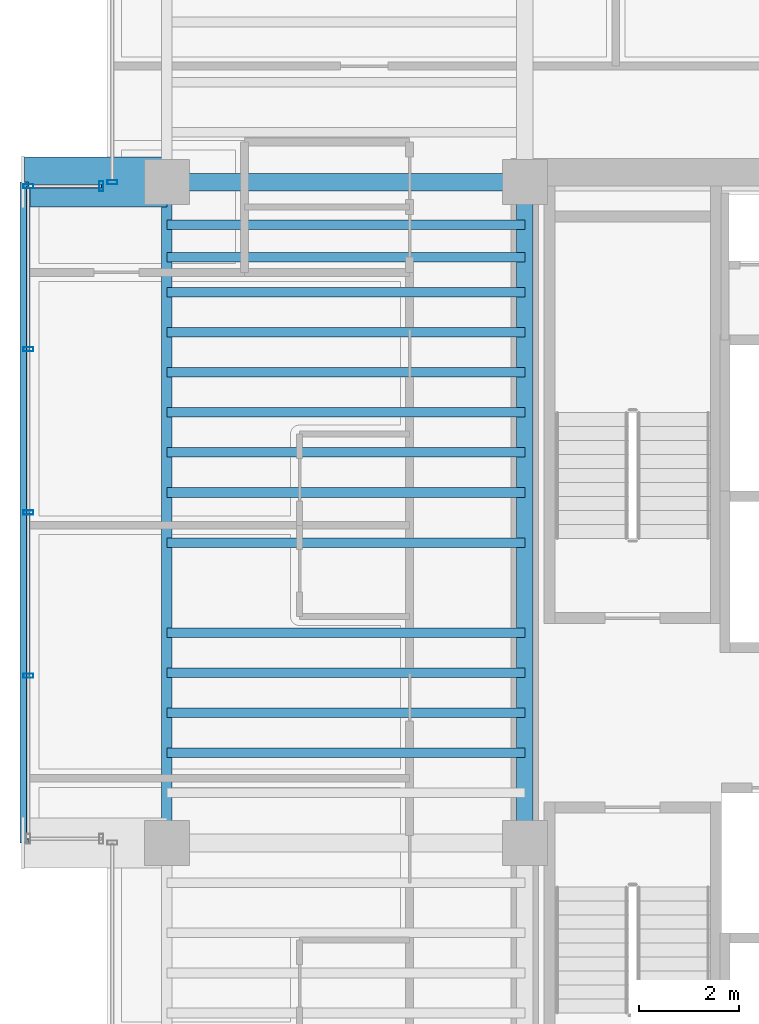
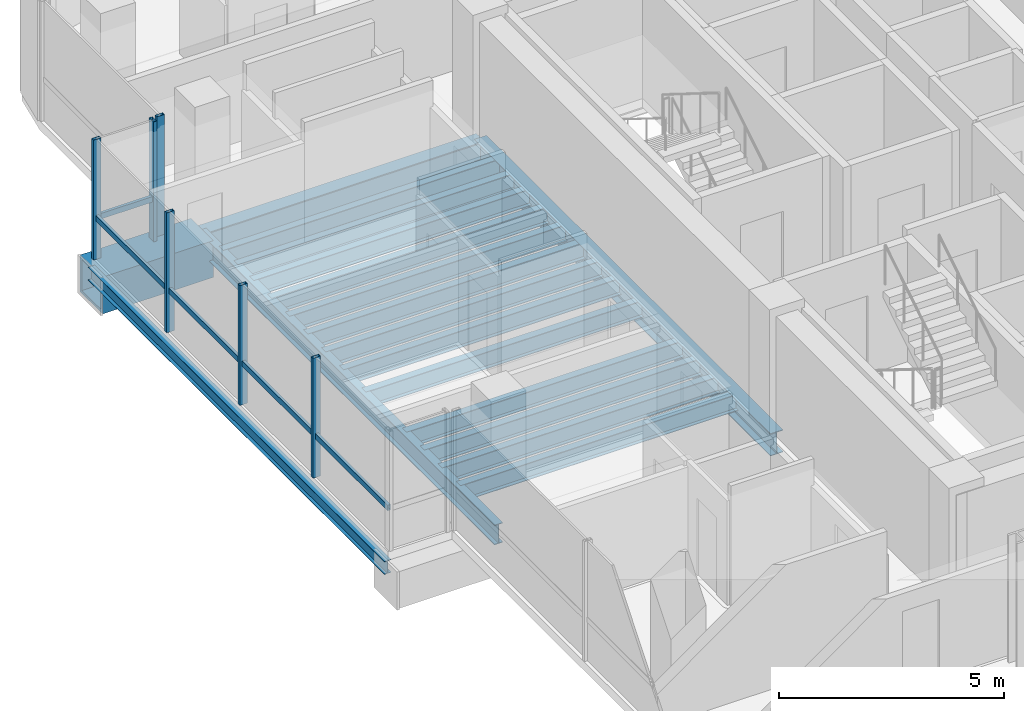
# One storey, part 7 of 22: 18 beams, 8 members, 3 elements without a shape of their own.
"""IFC4 building model written with IfcOpenShell, lengths in metres."""

from ifc_helpers import new_model, si_unit, direction, frame, origin, origin_2d, place, context, subcontext, project, spatial, hollow_rectangle, i_section, extrude, source, transform, mapped, material, material_profile, profile_set, type_object, element, aggregate, save


model = new_model("IFC4")

# Units and contexts
model_context = context("Model", 3, precision=1e-05, world=origin(), true_north=direction((0.0, 1.0)))
body_context = subcontext(model_context, "Body", "Model", "MODEL_VIEW")
ifc_project = project(units=[si_unit("LENGTHUNIT", "METRE"), si_unit("AREAUNIT", "SQUARE_METRE"), si_unit("VOLUMEUNIT", "CUBIC_METRE"), si_unit("PLANEANGLEUNIT", "RADIAN"), si_unit("MASSUNIT", "GRAM", prefix="KILO")], contexts=[model_context])

# Site, building, storey
site_placement = place(None, origin())
site = spatial("IfcSite", under=ifc_project, at=site_placement, CompositionType="ELEMENT")
building_placement = place(site_placement, origin())
building = spatial("IfcBuilding", under=site, at=building_placement, Name="Valdorenza Pilgrim Sanctuary Tower", CompositionType="ELEMENT")
storey_placement = place(building_placement, frame((0.0, 0.0, 216.0)))
storey = spatial("IfcBuildingStorey", under=building, at=storey_placement, Name="L55", CompositionType="ELEMENT", Elevation=216.0)

# Beams
ifc_material_1 = material(Name="Steel ASTM A992 Grade 50", Category="steel")
ifc_material_profile_1 = material_profile(ifc_material_1, i_section(OverallWidth=0.323974609375, OverallDepth=0.611083984375, WebThickness=0.0126953125, FlangeThickness=0.01904296875, at=origin_2d()), Name="W24X104")
ifc_profile_set_1 = profile_set([ifc_material_profile_1], Name="Steel ASTM A992 Grade 50")
beam_type_1 = type_object("IfcBeamType", Name="STR-BM-GRD-W24B", PredefinedType="BEAM", material=ifc_profile_set_1)
shared_shape_1 = source(origin(), body_context, "Body", "SweptSolid", [
    extrude(i_section(OverallWidth=0.323974609375, OverallDepth=0.611083984375, WebThickness=0.0126953125, FlangeThickness=0.01904296875, at=origin_2d()), origin(), (0.0, 0.0, 1.0), 13.2001953125),
])
beam_1_placement = place(storey_placement, frame((-22.64990234375, -2.60009765625, -0.54541015625), z_axis=(0.0, 1.0, 0.0), x_axis=(-1.0, 0.0, 0.0)))
element("IfcBeam", 1, at=beam_1_placement, inside=storey, type_object=beam_type_1, Name="L55 Core Tie Girder CA-W-M0N1", PredefinedType="BEAM", context=body_context, shape_type="MappedRepresentation", body=[
    mapped(shared_shape_1, transform((0.0, 0.0, 0.0), x_axis=(1.0, 0.0, 0.0), y_axis=(0.0, 1.0, 0.0), z_axis=(0.0, 0.0, 1.0), scale=1.0)),
])
ifc_material_profile_2 = material_profile(ifc_material_1, i_section(OverallWidth=0.1708984375, OverallDepth=0.35107421875, WebThickness=0.0068359375, FlangeThickness=0.009765625, at=origin_2d()), Name="W14X30")
ifc_profile_set_2 = profile_set([ifc_material_profile_2], Name="Steel ASTM A992 Grade 50")
beam_type_2 = type_object("IfcBeamType", Name="STR-BM-BOX-W14", PredefinedType="BEAM", material=ifc_profile_set_2)
shared_shape_2 = source(origin(), body_context, "Body", "SweptSolid", [
    extrude(i_section(OverallWidth=0.1708984375, OverallDepth=0.35107421875, WebThickness=0.0068359375, FlangeThickness=0.009765625, at=origin_2d()), origin(), (0.0, 0.0, 1.0), 13.2001953125),
])
beam_2_placement = place(storey_placement, frame((-32.64990234375, -2.60009765625, -0.41552734375), z_axis=(0.0, 1.0, 0.0), x_axis=(-1.0, 0.0, 0.0)))
element("IfcBeam", 2, at=beam_2_placement, inside=storey, type_object=beam_type_2, Name="L55 Glass Box Edge Beam BOX-WA-L55-F", PredefinedType="BEAM", context=body_context, shape_type="MappedRepresentation", body=[
    mapped(shared_shape_2, transform((0.0, 0.0, 0.0), x_axis=(1.0, 0.0, 0.0), y_axis=(0.0, 1.0, 0.0), z_axis=(0.0, 0.0, 1.0), scale=1.0)),
])
ifc_material_profile_3 = material_profile(ifc_material_1, i_section(OverallWidth=0.19091796875, OverallDepth=0.45703125, WebThickness=0.009033203125, FlangeThickness=0.014404296875, at=origin_2d()), Name="W18X50")
ifc_profile_set_3 = profile_set([ifc_material_profile_3], Name="Steel ASTM A992 Grade 50")
beam_type_3 = type_object("IfcBeamType", Name="STR-BM-JST-W18B", PredefinedType="JOIST", material=ifc_profile_set_3)
shared_shape_3 = source(origin(), body_context, "Body", "SweptSolid", [
    extrude(i_section(OverallWidth=0.19091796875, OverallDepth=0.45703125, WebThickness=0.009033203125, FlangeThickness=0.014404296875, at=origin_2d()), origin(), (0.0, 0.0, 1.0), 7.150146484375),
])
for number, where, z_axis, x_axis, name in (
    (3, (-29.800048828125, -0.800048828125, -0.468505859375), (1.0, 0.0, 0.0), (0.0, 1.0, 0.0), "L55 Composite Floor Joist JST-WA-11"),
    (4, (-29.800048828125, 0.0, -0.468505859375), (1.0, 0.0, 0.0), (0.0, 1.0, 0.0), "L55 Composite Floor Joist JST-WA-12"),
    (5, (-29.800048828125, 0.800048828125, -0.468505859375), (1.0, 0.0, 0.0), (0.0, 1.0, 0.0), "L55 Composite Floor Joist JST-WA-13"),
    (6, (-29.800048828125, 1.60009765625, -0.468505859375), (1.0, 0.0, 0.0), (0.0, 1.0, 0.0), "L55 Composite Floor Joist JST-WA-14"),
    (7, (-29.800048828125, 3.39990234375, -0.468505859375), (1.0, 0.0, 0.0), (0.0, 1.0, 0.0), "L55 Composite Floor Joist JST-WA-15"),
    (8, (-29.800048828125, 4.39990234375, -0.468505859375), (1.0, 0.0, 0.0), (0.0, 1.0, 0.0), "L55 Composite Floor Joist JST-WA-16"),
    (9, (-29.800048828125, 5.199951171875, -0.468505859375), (1.0, 0.0, 0.0), (0.0, 1.0, 0.0), "L55 Composite Floor Joist JST-WA-17"),
    (10, (-29.800048828125, 6.0, -0.468505859375), (1.0, 0.0, 0.0), (0.0, 1.0, 0.0), "L55 Composite Floor Joist JST-WA-18"),
    (11, (-29.800048828125, 6.800048828125, -0.468505859375), (1.0, 0.0, 0.0), (0.0, 1.0, 0.0), "L55 Composite Floor Joist JST-WA-19"),
    (12, (-29.800048828125, 7.60009765625, -0.468505859375), (1.0, 0.0, 0.0), (0.0, 1.0, 0.0), "L55 Composite Floor Joist JST-WA-20"),
    (13, (-29.800048828125, 8.39990234375, -0.468505859375), (1.0, 0.0, 0.0), (0.0, 1.0, 0.0), "L55 Composite Floor Joist JST-WA-21"),
    (14, (-29.800048828125, 9.10009765625, -0.468505859375), (1.0, 0.0, 0.0), (0.0, 1.0, 0.0), "L55 Composite Floor Joist JST-WA-22"),
    (15, (-29.800048828125, 9.75, -0.468505859375), (1.0, 0.0, 0.0), (0.0, 1.0, 0.0), "L55 Composite Floor Joist JST-WA-23"),
):
    element("IfcBeam", number, at=place(storey_placement, frame(where, z_axis=z_axis, x_axis=x_axis)), inside=storey, type_object=beam_type_3, Name=name, PredefinedType="JOIST", context=body_context, shape_type="MappedRepresentation", body=[
        mapped(shared_shape_3, transform((0.0, 0.0, 0.0), x_axis=(1.0, 0.0, 0.0), y_axis=(0.0, 1.0, 0.0), z_axis=(0.0, 0.0, 1.0), scale=1.0)),
    ])
ifc_material_2 = material(Name="Steel ASTM A572 Grade 42", Category="steel")
ifc_material_profile_4 = material_profile(ifc_material_2, hollow_rectangle(XDim=1.0, YDim=1.0, WallThickness=0.080078125, at=origin_2d()), Name="BOX 1000x1000x80")
ifc_profile_set_4 = profile_set([ifc_material_profile_4], Name="Steel ASTM A572 Grade 42")
beam_type_4 = type_object("IfcBeamType", Name="STR-BM-PROW-CANT", PredefinedType="BEAM", material=ifc_profile_set_4)
shared_shape_4 = source(origin(), body_context, "Body", "SweptSolid", [
    extrude(hollow_rectangle(XDim=1.0, YDim=1.0, WallThickness=0.080078125, at=origin_2d()), origin(), (0.0, 0.0, 1.0), 2.849853515625),
])
beam_3_placement = place(storey_placement, frame((-29.800048828125, 10.60009765625, -0.739990234375), z_axis=(-1.0, 0.0, 0.0), x_axis=(0.0, -1.0, 0.0)))
element("IfcBeam", 16, at=beam_3_placement, inside=storey, type_object=beam_type_4, Name="L55 Glass Box Cantilever Beam BOX-WA-L55-CT-N", PredefinedType="BEAM", context=body_context, shape_type="MappedRepresentation", body=[
    mapped(shared_shape_4, transform((0.0, 0.0, 0.0), x_axis=(1.0, 0.0, 0.0), y_axis=(0.0, 1.0, 0.0), z_axis=(0.0, 0.0, 1.0), scale=1.0)),
])
ifc_material_profile_5 = material_profile(ifc_material_1, i_section(OverallWidth=0.2109375, OverallDepth=0.5390625, WebThickness=0.01171875, FlangeThickness=0.018798828125, at=origin_2d()), Name="W21X73")
ifc_profile_set_5 = profile_set([ifc_material_profile_5], Name="Steel ASTM A992 Grade 50")
beam_type_5 = type_object("IfcBeamType", Name="STR-BM-SPN-W21B", PredefinedType="SPANDREL", material=ifc_profile_set_5)
shared_shape_5 = source(origin(), body_context, "Body", "SweptSolid", [
    extrude(i_section(OverallWidth=0.2109375, OverallDepth=0.5390625, WebThickness=0.01171875, FlangeThickness=0.018798828125, at=origin_2d()), origin(), (0.0, 0.0, 1.0), 13.2001953125),
])
beam_4_placement = place(storey_placement, frame((-29.800048828125, -2.60009765625, -0.509521484375), z_axis=(0.0, 1.0, 0.0), x_axis=(-1.0, 0.0, 0.0)))
element("IfcBeam", 17, at=beam_4_placement, inside=storey, type_object=beam_type_5, Name="L55 Spandrel Beam WA-W-M0N1", PredefinedType="SPANDREL", context=body_context, shape_type="MappedRepresentation", body=[
    mapped(shared_shape_5, transform((0.0, 0.0, 0.0), x_axis=(1.0, 0.0, 0.0), y_axis=(0.0, 1.0, 0.0), z_axis=(0.0, 0.0, 1.0), scale=1.0)),
])
ifc_material_profile_6 = material_profile(ifc_material_1, i_section(OverallWidth=0.35595703125, OverallDepth=0.700927734375, WebThickness=0.016845703125, FlangeThickness=0.02734375, at=origin_2d()), Name="W27X161")
ifc_profile_set_6 = profile_set([ifc_material_profile_6], Name="Steel ASTM A992 Grade 50")
beam_type_6 = type_object("IfcBeamType", Name="STR-BM-GRD-W27", PredefinedType="BEAM", material=ifc_profile_set_6)
shared_shape_6 = source(origin(), body_context, "Body", "SweptSolid", [
    extrude(i_section(OverallWidth=0.35595703125, OverallDepth=0.700927734375, WebThickness=0.016845703125, FlangeThickness=0.02734375, at=origin_2d()), origin(), (0.0, 0.0, 1.0), 7.150146484375),
])
beam_5_placement = place(storey_placement, frame((-29.800048828125, 10.60009765625, -0.590576171875), z_axis=(1.0, 0.0, 0.0), x_axis=(0.0, 1.0, 0.0)))
element("IfcBeam", 18, at=beam_5_placement, inside=storey, type_object=beam_type_6, Name="L55 Floor Girder WA-XW-N1", PredefinedType="BEAM", context=body_context, shape_type="MappedRepresentation", body=[
    mapped(shared_shape_6, transform((0.0, 0.0, 0.0), x_axis=(1.0, 0.0, 0.0), y_axis=(0.0, 1.0, 0.0), z_axis=(0.0, 0.0, 1.0), scale=1.0)),
])

# Curtain wall, member
ifc_material_3 = material(Name="Curtain-wall IGU glazing", Category="glass")
curtain_wall_type = type_object("IfcCurtainWallType", Name="CW-SYS-02", PredefinedType="NOTDEFINED", material=ifc_material_3)
curtain_wall_1_placement = place(storey_placement, origin())
curtain_wall_1 = element("IfcCurtainWall", 19, at=curtain_wall_1_placement, inside=storey, type_object=curtain_wall_type, Name="L55 Curtain Wall CW-L55-BOX-WA-L55-N", PredefinedType="NOTDEFINED")
ifc_material_4 = material(Name="Anodised aluminium AW-6060", Category="aluminium")
ifc_material_profile_7 = material_profile(ifc_material_4, hollow_rectangle(XDim=0.074951171875, YDim=0.14990234375, WallThickness=0.00390625, at=origin_2d()), Name="ALU-T 150x75x4")
ifc_profile_set_7 = profile_set([ifc_material_profile_7], Name="Anodised aluminium AW-6060")
member_type_1 = type_object("IfcMemberType", Name="CW-TRN-02", PredefinedType="USERDEFINED", material=ifc_profile_set_7)
shared_shape_7 = source(origin(), body_context, "Body", "SweptSolid", [
    extrude(hollow_rectangle(XDim=0.074951171875, YDim=0.14990234375, WallThickness=0.00390625, at=origin_2d()), origin(), (0.0, 0.0, 1.0), 1.4599609375),
])
member_1_placement = place(storey_placement, frame((-32.570068359375, 10.52001953125, 1.1201171875), z_axis=(1.0, 0.0, 0.0), x_axis=(0.0, 1.0, 0.0)))
member_1 = element("IfcMember", 20, at=member_1_placement, type_object=member_type_1, Name="CW-L55-BOX-WA-L55-N Transom 1", ObjectType="TRANSOM", PredefinedType="USERDEFINED", context=body_context, shape_type="MappedRepresentation", body=[
    mapped(shared_shape_7, transform((0.0, 0.0, 0.0), x_axis=(1.0, 0.0, 0.0), y_axis=(0.0, 1.0, 0.0), z_axis=(0.0, 0.0, 1.0), scale=1.0)),
])

curtain_wall_2_placement = place(storey_placement, origin())
curtain_wall_2 = element("IfcCurtainWall", 21, at=curtain_wall_2_placement, inside=storey, type_object=curtain_wall_type, Name="L55 Curtain Wall CW-L55-BOX-WA-L55-F", PredefinedType="NOTDEFINED")
shared_shape_8 = source(origin(), body_context, "Body", "SweptSolid", [
    extrude(hollow_rectangle(XDim=0.074951171875, YDim=0.14990234375, WallThickness=0.00390625, at=origin_2d()), origin(), (0.0, 0.0, 1.0), 13.0400390625),
])
member_2_placement = place(storey_placement, frame((-32.570068359375, -2.52001953125, 1.1201171875), z_axis=(0.0, 1.0, 0.0), x_axis=(-1.0, 0.0, 0.0)))
member_2 = element("IfcMember", 22, at=member_2_placement, type_object=member_type_1, Name="CW-L55-BOX-WA-L55-F Transom 1", ObjectType="TRANSOM", PredefinedType="USERDEFINED", context=body_context, shape_type="MappedRepresentation", body=[
    mapped(shared_shape_8, transform((0.0, 0.0, 0.0), x_axis=(1.0, 0.0, 0.0), y_axis=(0.0, 1.0, 0.0), z_axis=(0.0, 0.0, 1.0), scale=1.0)),
])

curtain_wall_3_placement = place(storey_placement, origin())
curtain_wall_3 = element("IfcCurtainWall", 23, at=curtain_wall_3_placement, inside=storey, type_object=curtain_wall_type, Name="L55 Curtain Wall CW-L55-1-1S2", PredefinedType="NOTDEFINED")
ifc_material_profile_8 = material_profile(ifc_material_4, hollow_rectangle(XDim=0.0849609375, YDim=0.199951171875, WallThickness=0.0048828125, at=origin_2d()), Name="ALU-M 200x85x5")
ifc_profile_set_8 = profile_set([ifc_material_profile_8], Name="Anodised aluminium AW-6060")
member_type_2 = type_object("IfcMemberType", Name="CW-MUL-02", PredefinedType="MULLION", material=ifc_profile_set_8)
shared_shape_9 = source(origin(), body_context, "Body", "SweptSolid", [
    extrude(hollow_rectangle(XDim=0.0849609375, YDim=0.199951171875, WallThickness=0.0048828125, at=origin_2d()), origin(), (0.0, 0.0, 1.0), 3.260009765625),
])
member_3_placement = place(storey_placement, frame((-30.889892578125, 10.60009765625, 0.0), z_axis=(0.0, 0.0, 1.0), x_axis=(0.0, 1.0, 0.0)))
member_3 = element("IfcMember", 24, at=member_3_placement, type_object=member_type_2, Name="CW-L55-1-1S2 Mullion 1", PredefinedType="MULLION", context=body_context, shape_type="MappedRepresentation", body=[
    mapped(shared_shape_9, transform((0.0, 0.0, 0.0), x_axis=(1.0, 0.0, 0.0), y_axis=(0.0, 1.0, 0.0), z_axis=(0.0, 0.0, 1.0), scale=1.0)),
])
aggregate(curtain_wall_3, [member_3])

# Member
member_4_placement = place(storey_placement, frame((-32.570068359375, 0.739990234375, 0.0), z_axis=(0.0, 0.0, 1.0), x_axis=(0.0, 1.0, 0.0)))
member_4 = element("IfcMember", 25, at=member_4_placement, type_object=member_type_2, Name="CW-L55-BOX-WA-L55-F Mullion 2", PredefinedType="MULLION", context=body_context, shape_type="MappedRepresentation", body=[
    mapped(shared_shape_9, transform((0.0, 0.0, 0.0), x_axis=(1.0, 0.0, 0.0), y_axis=(0.0, 1.0, 0.0), z_axis=(0.0, 0.0, 1.0), scale=1.0)),
])

member_5_placement = place(storey_placement, frame((-32.570068359375, 4.0, 0.0), z_axis=(0.0, 0.0, 1.0), x_axis=(0.0, 1.0, 0.0)))
member_5 = element("IfcMember", 26, at=member_5_placement, type_object=member_type_2, Name="CW-L55-BOX-WA-L55-F Mullion 3", PredefinedType="MULLION", context=body_context, shape_type="MappedRepresentation", body=[
    mapped(shared_shape_9, transform((0.0, 0.0, 0.0), x_axis=(1.0, 0.0, 0.0), y_axis=(0.0, 1.0, 0.0), z_axis=(0.0, 0.0, 1.0), scale=1.0)),
])

member_6_placement = place(storey_placement, frame((-32.570068359375, 7.260009765625, 0.0), z_axis=(0.0, 0.0, 1.0), x_axis=(0.0, 1.0, 0.0)))
member_6 = element("IfcMember", 27, at=member_6_placement, type_object=member_type_2, Name="CW-L55-BOX-WA-L55-F Mullion 4", PredefinedType="MULLION", context=body_context, shape_type="MappedRepresentation", body=[
    mapped(shared_shape_9, transform((0.0, 0.0, 0.0), x_axis=(1.0, 0.0, 0.0), y_axis=(0.0, 1.0, 0.0), z_axis=(0.0, 0.0, 1.0), scale=1.0)),
])

member_7_placement = place(storey_placement, frame((-32.570068359375, 10.52001953125, 0.0), z_axis=(0.0, 0.0, 1.0), x_axis=(0.0, 1.0, 0.0)))
member_7 = element("IfcMember", 28, at=member_7_placement, type_object=member_type_2, Name="CW-L55-BOX-WA-L55-F Mullion 5", PredefinedType="MULLION", context=body_context, shape_type="MappedRepresentation", body=[
    mapped(shared_shape_9, transform((0.0, 0.0, 0.0), x_axis=(1.0, 0.0, 0.0), y_axis=(0.0, 1.0, 0.0), z_axis=(0.0, 0.0, 1.0), scale=1.0)),
])

aggregate(curtain_wall_2, [member_4, member_5, member_6, member_7, member_2])

member_8_placement = place(storey_placement, frame((-31.110107421875, 10.52001953125, 0.0), z_axis=(0.0, 0.0, 1.0), x_axis=(1.0, 0.0, 0.0)))
member_8 = element("IfcMember", 29, at=member_8_placement, type_object=member_type_2, Name="CW-L55-BOX-WA-L55-N Mullion 2", PredefinedType="MULLION", context=body_context, shape_type="MappedRepresentation", body=[
    mapped(shared_shape_9, transform((0.0, 0.0, 0.0), x_axis=(1.0, 0.0, 0.0), y_axis=(0.0, 1.0, 0.0), z_axis=(0.0, 0.0, 1.0), scale=1.0)),
])

aggregate(curtain_wall_1, [member_8, member_1])

save(model, "model.ifc")
